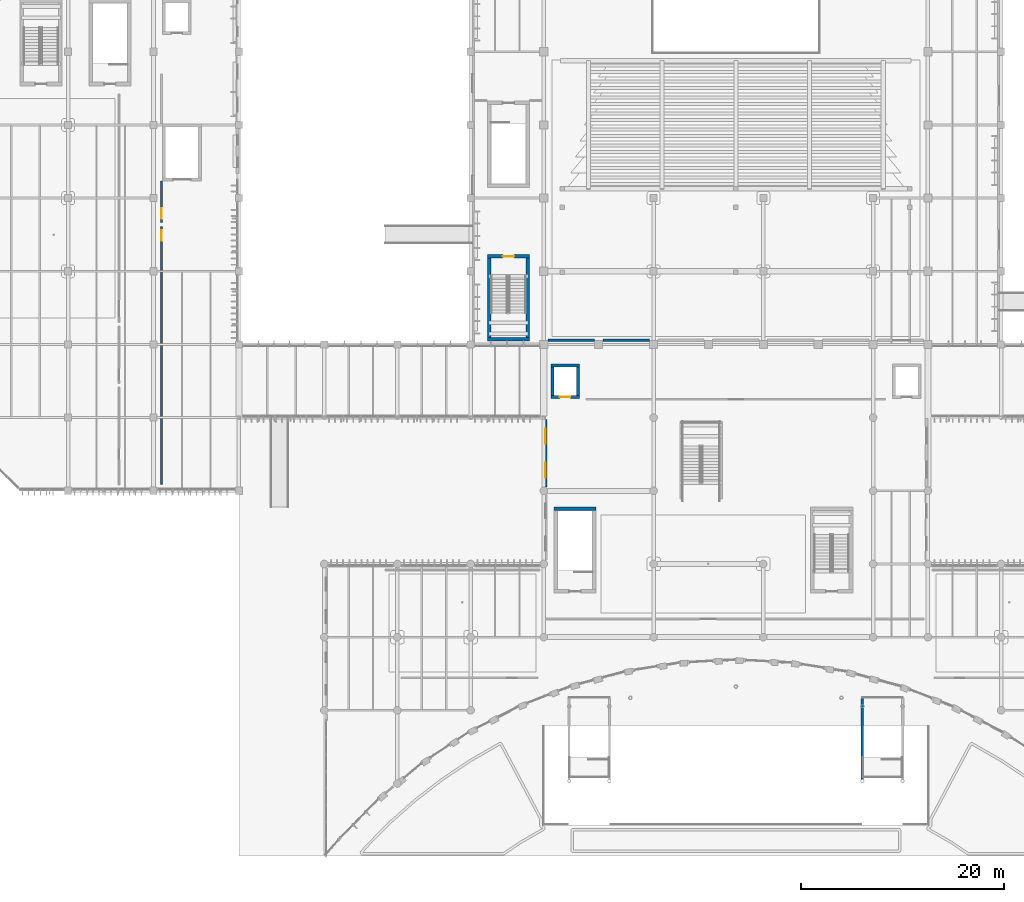
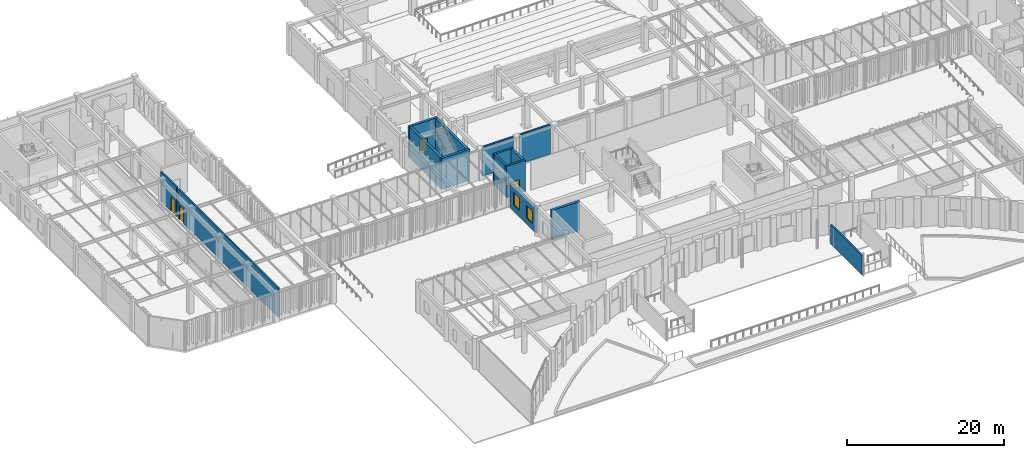
# One storey, part 32 of 122: 15 walls, 4 doors, 2 windows, 6 openings.
"""IFC4 building model written with IfcOpenShell, lengths in metres."""

import ifcopenshell
import ifcopenshell.guid

model = None  # the IFC model being written
_history = None  # IfcOwnerHistory: only IFC2X3 demands one
_inside = {}  # id of a spatial element -> (the spatial element, [elements in it])
_under = {}  # id of a project, library or spatial element -> (it, [spatial elements below it])
_declared = {}  # id of a project -> (the project, [libraries it declares])
_typed = {}  # id of a type object -> (the type object, [elements of that type])
_made_of = {}  # id of a material, layer set ... -> (it, [elements and type objects made of it])


def new_model(schema):
    """Start an empty IFC model of exactly this schema.

    Asked for "IFC4X3", IfcOpenShell would pick the latest addendum, in which some entities
    have other attributes; the version numbers below select the first issue.
    IFC2X3 requires an IfcOwnerHistory on every rooted entity: one is made here for all.
    """
    global model, _history
    if schema == "IFC4X3":
        model = ifcopenshell.file(schema_version=(4, 3, 0, 0))
    else:
        model = ifcopenshell.file(schema=schema)
    _inside.clear()
    _under.clear()
    _declared.clear()
    _typed.clear()
    _made_of.clear()
    _history = None
    if model.schema == "IFC2X3":
        org = make("IfcOrganization", Name="unknown")
        user = make(
            "IfcPersonAndOrganization",
            ThePerson=make("IfcPerson", FamilyName="unknown"),
            TheOrganization=org,
        )
        app = make(
            "IfcApplication",
            ApplicationDeveloper=org,
            Version="unknown",
            ApplicationFullName="unknown",
            ApplicationIdentifier="unknown",
        )
        _history = make(
            "IfcOwnerHistory",
            OwningUser=user,
            OwningApplication=app,
            ChangeAction="ADDED",
            CreationDate=0,
        )
    return model


def make(cls, **values):
    """One entity of the class cls with the attributes given. An attribute that is None is left unset."""
    return model.create_entity(
        cls, **{name: value for name, value in values.items() if value is not None}
    )


def rooted(cls, **values):
    """An entity with a GlobalId (a new one), such as an element, a storey or a relation."""
    return make(cls, GlobalId=ifcopenshell.guid.new(), OwnerHistory=_history, **values)


def si_unit(unit_type, name, prefix=None):
    """IfcSIUnit, for example si_unit("LENGTHUNIT", "METRE", prefix="MILLI")."""
    return make("IfcSIUnit", UnitType=unit_type, Prefix=prefix, Name=name)


def assignment(units):
    """IfcUnitAssignment: the units of a project."""
    return None if units is None else make("IfcUnitAssignment", Units=units)


def point(xyz):
    """IfcCartesianPoint."""
    return None if xyz is None else make("IfcCartesianPoint", Coordinates=xyz)


def direction(xyz):
    """IfcDirection."""
    return None if xyz is None else make("IfcDirection", DirectionRatios=xyz)


def frame(location, z_axis=None, x_axis=None):
    """IfcAxis2Placement3D, a coordinate frame: its origin and axes. An axis left out is left unset."""
    return make(
        "IfcAxis2Placement3D",
        Location=point(location),
        Axis=direction(z_axis),
        RefDirection=direction(x_axis),
    )


def frame_2d(location, x_axis=None):
    """IfcAxis2Placement2D, a coordinate frame in the plane: its origin and x axis."""
    return make(
        "IfcAxis2Placement2D", Location=point(location), RefDirection=direction(x_axis)
    )


def origin():
    """The frame at (0, 0, 0) with its axes left unset."""
    return frame((0.0, 0.0, 0.0))


def place(relative_to, where):
    """IfcLocalPlacement: puts the frame where relative to a parent placement (None: the world)."""
    return make(
        "IfcLocalPlacement", PlacementRelTo=relative_to, RelativePlacement=where
    )


def context(
    kind, dimensions, precision=None, world=None, true_north=None, identifier=None
):
    """IfcGeometricRepresentationContext, for example the 3D "Model" context."""
    return make(
        "IfcGeometricRepresentationContext",
        ContextIdentifier=identifier,
        ContextType=kind,
        CoordinateSpaceDimension=dimensions,
        Precision=precision,
        WorldCoordinateSystem=world,
        TrueNorth=true_north,
    )


def subcontext(parent, identifier, kind, view, scale=None):
    """IfcGeometricRepresentationSubContext, for example "Body" below "Model"."""
    return make(
        "IfcGeometricRepresentationSubContext",
        ContextIdentifier=identifier,
        ContextType=kind,
        ParentContext=parent,
        TargetScale=scale,
        TargetView=view,
    )


def project(units=None, contexts=None):
    """IfcProject with its units and contexts."""
    return rooted(
        "IfcProject",
        Name="project",
        RepresentationContexts=contexts,
        UnitsInContext=assignment(units),
    )


def spatial(cls, under=None, at=None, **own):
    """A site, building, storey or space (cls), placed at a placement, below another one or the project."""
    s = rooted(cls, ObjectPlacement=at, **own)
    if under is not None:
        _under.setdefault(under.id(), (under, []))[1].append(s)
    return s


def profile(cls, at=None, kind="AREA", **sizes):
    """A parametric profile (cls). Its sizes go by their IFC names, for example OverallWidth=200.0."""
    return make(cls, ProfileType=kind, Position=at, **sizes)


def rectangle(**sizes):
    """IfcRectangleProfileDef."""
    return profile("IfcRectangleProfileDef", **sizes)


def extrude(swept, where, along, depth):
    """IfcExtrudedAreaSolid: the profile swept, set in the frame where, extruded along a direction by depth."""
    return make(
        "IfcExtrudedAreaSolid",
        SweptArea=swept,
        Position=where,
        ExtrudedDirection=direction(along),
        Depth=depth,
    )


def shape(context_of_items, identifier, shape_type, items):
    """IfcShapeRepresentation: the items that make up one representation, for example the "Body"."""
    return make(
        "IfcShapeRepresentation",
        ContextOfItems=context_of_items,
        RepresentationIdentifier=identifier,
        RepresentationType=shape_type,
        Items=items,
    )


def material(Name=None, Category=None):
    """IfcMaterial."""
    return make("IfcMaterial", Name=Name, Category=Category)


def layer(
    of_material, thickness, ventilated=None, Name=None, Category=None, Priority=None
):
    """IfcMaterialLayer: one layer of a wall or slab, of a material (None: an air gap)."""
    return make(
        "IfcMaterialLayer",
        Material=of_material,
        LayerThickness=thickness,
        IsVentilated=ventilated,
        Name=Name,
        Category=Category,
        Priority=Priority,
    )


def layer_set(layers, Name=None):
    """IfcMaterialLayerSet."""
    return make("IfcMaterialLayerSet", MaterialLayers=layers, LayerSetName=Name)


def made_of(thing, what):
    """Note that an element or type object is made of a material, layer set ...; save() writes the relation."""
    if what is not None:
        _made_of.setdefault(what.id(), (what, []))[1].append(thing)
    return thing


def type_object(cls, material=None, **own):
    """A type object (cls), such as IfcWallType, which elements share."""
    return made_of(rooted(cls, **own), material)


def element(
    cls,
    number,
    at=None,
    inside=None,
    cuts=None,
    type_object=None,
    material=None,
    context=None,
    identifier="Body",
    shape_type=None,
    held_by="IfcProductDefinitionShape",
    body=None,
    shapes=None,
    **own,
):
    """One element of the class cls, such as IfcWall. Its Tag is "e" and its number.

    at: its placement. inside: the storey or other place that contains it. cuts: it is an
    opening in that element (IfcRelVoidsElement). A single representation is given by context,
    identifier, shape_type and body (its items); several are given by shapes. held_by: the class
    of the entity that holds the representations. save() writes the other relations.
    """
    e = rooted(cls, Tag="e%d" % number, ObjectPlacement=at, **own)
    if body is not None:
        shapes = [shape(context, identifier, shape_type, body)]
    if shapes is not None:
        e.Representation = make(held_by, Representations=shapes)
    if inside is not None:
        _inside.setdefault(inside.id(), (inside, []))[1].append(e)
    if cuts is not None:
        rooted(
            "IfcRelVoidsElement", RelatingBuildingElement=cuts, RelatedOpeningElement=e
        )
    if type_object is not None:
        _typed.setdefault(type_object.id(), (type_object, []))[1].append(e)
    return made_of(e, material)


def fill(opening, filler):
    """IfcRelFillsElement: the door or window that sits in an opening."""
    return rooted(
        "IfcRelFillsElement",
        RelatingOpeningElement=opening,
        RelatedBuildingElement=filler,
    )


def aggregate(whole, parts):
    """IfcRelAggregates: a whole, such as a stair, and the parts it consists of."""
    return rooted("IfcRelAggregates", RelatingObject=whole, RelatedObjects=parts)


def save(model, path):
    """Write the relations noted so far, then the file.

    IfcRelAggregates (storeys below a building ...), IfcRelContainedInSpatialStructure (elements
    in a storey), IfcRelDefinesByType, IfcRelAssociatesMaterial and IfcRelDeclares: one each for
    every whole, place, type object, material and project.
    """
    for whole, parts in _under.values():
        aggregate(whole, parts)
    for where, things in _inside.values():
        rooted(
            "IfcRelContainedInSpatialStructure",
            RelatedElements=things,
            RelatingStructure=where,
        )
    for kind, things in _typed.values():
        rooted("IfcRelDefinesByType", RelatedObjects=things, RelatingType=kind)
    for what, things in _made_of.values():
        rooted("IfcRelAssociatesMaterial", RelatedObjects=things, RelatingMaterial=what)
    for by, libraries in _declared.values():
        rooted("IfcRelDeclares", RelatingContext=by, RelatedDefinitions=libraries)
    model.write(path)


model = new_model("IFC4")

# Units and contexts
model_context = context("Model", 3, precision=1e-05, world=origin(), true_north=direction((0.0, 1.0)))
body_context = subcontext(model_context, "Body", "Model", "MODEL_VIEW")
ifc_project = project(units=[si_unit("LENGTHUNIT", "METRE"), si_unit("AREAUNIT", "SQUARE_METRE"), si_unit("VOLUMEUNIT", "CUBIC_METRE"), si_unit("PLANEANGLEUNIT", "RADIAN"), si_unit("MASSUNIT", "GRAM", prefix="KILO")], contexts=[model_context])

# Site, building, storey
site_placement = place(None, origin())
site = spatial("IfcSite", under=ifc_project, at=site_placement, CompositionType="ELEMENT")
building_placement = place(site_placement, origin())
building = spatial("IfcBuilding", under=site, at=building_placement, Name="Tazoul Stagehouse", CompositionType="ELEMENT")
storey_placement = place(building_placement, origin())
storey = spatial("IfcBuildingStorey", under=building, at=storey_placement, Name="L00", CompositionType="ELEMENT", Elevation=0.0)

# Walls
ifc_material_1 = material(Name="Gypsum Acoustic Partition", Category="gypsum")
ifc_layer_1 = layer(ifc_material_1, 0.25, Name="Gypsum Acoustic Partition")
ifc_layer_set_1 = layer_set([ifc_layer_1], Name="Gypsum Acoustic Partition")
wall_type_1 = type_object("IfcWallType", Name="Acoustic Hall Double-Stud Partition 250", PredefinedType="PARTITIONING", material=ifc_layer_set_1)
for number, where, z_axis, x_axis, name in (
    (1, (67.97998046875, 52.199951171875, 0.0), (0.0, 0.0, 1.0), (-1.0, 0.0, 0.0), "L00 Partition PW-250 (PW-RM-L00-019-S-S6)"),
    (2, (62.580078125, 52.199951171875, 0.0), (0.0, 0.0, 1.0), (-1.0, 0.0, 0.0), "L00 Partition PW-250 (PW-RM-L00-019-S-S7)"),
):
    element("IfcWall", number, at=place(storey_placement, frame(where, z_axis=z_axis, x_axis=x_axis)), inside=storey, type_object=wall_type_1, Name=name, PredefinedType="PARTITIONING", context=body_context, shape_type="SweptSolid", body=[
        extrude(rectangle(XDim=4.56005859375, YDim=0.25, at=frame_2d((2.280029296875, 0.0))), origin(), (0.0, 0.0, 1.0), 4.5400390625),
    ])
ifc_material_2 = material(Name="Concrete C40/50", Category="concrete")
ifc_layer_2 = layer(ifc_material_2, 0.35009765625, Name="Concrete C40/50")
ifc_layer_set_2 = layer_set([ifc_layer_2], Name="Concrete C40/50")
wall_type_2 = type_object("IfcWallType", Name="Core Shear Wall 350", PredefinedType="SOLIDWALL", material=ifc_layer_set_2)
wall_1_placement = place(storey_placement, frame((56.199951171875, 52.31494140625, 0.0), z_axis=(0.0, 0.0, 1.0), x_axis=(-1.0, 0.0, 0.0)))
element("IfcWall", 3, at=wall_1_placement, inside=storey, type_object=wall_type_2, Name="L00 Core Wall CW-350 (SHF-ST-05-south)", PredefinedType="SOLIDWALL", context=body_context, shape_type="SweptSolid", body=[
    extrude(rectangle(XDim=4.14990234375, YDim=0.35009765625, at=frame_2d((2.074951171875, 0.0))), origin(), (0.0, 0.0, 1.0), 4.800048828125),
])
wall_2_placement = place(storey_placement, frame((52.22509765625, 52.489990234375, 0.0), z_axis=(0.0, 0.0, 1.0), x_axis=(0.0, 1.0, 0.0)))
element("IfcWall", 4, at=wall_2_placement, inside=storey, type_object=wall_type_2, Name="L00 Core Wall CW-350 (SHF-ST-05-west)", PredefinedType="SOLIDWALL", context=body_context, shape_type="SweptSolid", body=[
    extrude(rectangle(XDim=7.800048828125, YDim=0.35009765625, at=frame_2d((3.89990234375, 0.0))), origin(), (0.0, 0.0, 1.0), 4.800048828125),
])

# Wall, opening, door
wall_3_placement = place(storey_placement, frame((52.050048828125, 60.465087890625, 0.0), z_axis=(0.0, 0.0, 1.0), x_axis=(1.0, 0.0, 0.0)))
wall_3 = element("IfcWall", 5, at=wall_3_placement, inside=storey, type_object=wall_type_2, Name="L00 Core Wall CW-350 (SHF-ST-05-north)", PredefinedType="SOLIDWALL", context=body_context, shape_type="SweptSolid", body=[
    extrude(rectangle(XDim=4.14990234375, YDim=0.35009765625, at=frame_2d((2.074951171875, 0.0))), origin(), (0.0, 0.0, 1.0), 4.800048828125),
])
opening_1_placement = place(wall_3_placement, frame((1.52490234375, 0.0, 0.0)))
opening_1 = element("IfcOpeningElement", 6, at=opening_1_placement, cuts=wall_3, Name="Opening FD-01", PredefinedType="OPENING", context=body_context, shape_type="SweptSolid", body=[
    extrude(rectangle(XDim=1.10009765625, YDim=2.14990234375, at=frame_2d((0.550048828125, 1.074951171875))), frame((0.0, 0.195068359375, 0.0), z_axis=(0.0, -1.0, 0.0), x_axis=(1.0, 0.0, 0.0)), (0.0, 0.0, 1.0), 0.39013671875),
])
ifc_material_3 = material(Name="Powder-Coated Galvanised Acoustic Steel", Category="steel")
door_type_1 = type_object("IfcDoorType", Name="Core Escape Stair Fire Door 1100x2150", OperationType="NOTDEFINED", PredefinedType="DOOR", material=ifc_material_3)
door_1_placement = place(opening_1_placement, origin())
door_1 = element("IfcDoor", 7, at=door_1_placement, inside=storey, type_object=door_type_1, Name="L00 Escape Stair Fire Door FD-01 (ST-05)", OperationType="SINGLE_SWING_RIGHT", OverallHeight=2.14990234375, OverallWidth=1.10009765625, PredefinedType="DOOR", context=body_context, shape_type="SweptSolid", body=[
    extrude(rectangle(XDim=1.10009765625, YDim=2.14990234375, at=frame_2d((0.550048828125, 1.074951171875))), frame((0.0, 0.02490234375, 0.0), z_axis=(0.0, -1.0, 0.0), x_axis=(1.0, 0.0, 0.0)), (0.0, 0.0, 1.0), 0.050048828125),
])
fill(opening_1, door_1)

# Walls
wall_4_placement = place(storey_placement, frame((56.02490234375, 60.2900390625, 0.0), z_axis=(0.0, 0.0, 1.0), x_axis=(0.0, -1.0, 0.0)))
element("IfcWall", 8, at=wall_4_placement, inside=storey, type_object=wall_type_2, Name="L00 Core Wall CW-350 (SHF-ST-05-east)", PredefinedType="SOLIDWALL", context=body_context, shape_type="SweptSolid", body=[
    extrude(rectangle(XDim=7.800048828125, YDim=0.35009765625, at=frame_2d((3.89990234375, 0.0))), origin(), (0.0, 0.0, 1.0), 4.800048828125),
])
wall_5_placement = place(storey_placement, frame((58.60009765625, 35.655029296875, 0.0), z_axis=(0.0, 0.0, 1.0), x_axis=(1.0, 0.0, 0.0)))
element("IfcWall", 9, at=wall_5_placement, inside=storey, type_object=wall_type_2, Name="L00 Core Wall CW-350 (SHF-ST-B8-north)", PredefinedType="SOLIDWALL", context=body_context, shape_type="SweptSolid", body=[
    extrude(rectangle(XDim=4.14990234375, YDim=0.35009765625, at=frame_2d((2.074951171875, 0.0))), origin(), (0.0, 0.0, 1.0), 4.5400390625),
])

# Wall, openings, windows
ifc_material_4 = material(Name="Precast concrete C40/50", Category="concrete")
ifc_layer_3 = layer(ifc_material_4, 0.280029296875, Name="Precast concrete C40/50")
ifc_layer_set_3 = layer_set([ifc_layer_3], Name="Precast concrete C40/50")
wall_type_3 = type_object("IfcWallType", Name="Insulated Precast Acoustic Cladding Wall 280", PredefinedType="SOLIDWALL", material=ifc_layer_set_3)
wall_6_placement = place(storey_placement, frame((57.760009765625, 37.780029296875, 0.0), z_axis=(0.0, 0.0, 1.0), x_axis=(0.0, 1.0, 0.0)))
wall_6 = element("IfcWall", 10, at=wall_6_placement, inside=storey, type_object=wall_type_3, Name="L00 Wall EW-280 (WALL-V5-THRW-L00-S2)", PredefinedType="SOLIDWALL", context=body_context, shape_type="SweptSolid", body=[
    extrude(rectangle(XDim=6.653076171875, YDim=0.280029296875, at=frame_2d((3.32666015625, 0.0))), origin(), (0.0, 0.0, 1.0), 3.873046875),
])
opening_2_placement = place(wall_6_placement, frame((0.92822265625, 0.0, 0.949951171875)))
opening_2 = element("IfcOpeningElement", 11, at=opening_2_placement, cuts=wall_6, Name="Opening WN-77", PredefinedType="OPENING", context=body_context, shape_type="SweptSolid", body=[
    extrude(rectangle(XDim=1.469970703125, YDim=1.949951171875, at=frame_2d((0.73486328125, 0.97509765625))), frame((0.0, 0.159912109375, 0.0), z_axis=(0.0, -1.0, 0.0), x_axis=(1.0, 0.0, 0.0)), (0.0, 0.0, 1.0), 0.320068359375),
])
opening_3_placement = place(wall_6_placement, frame((4.2548828125, 0.0, 0.949951171875)))
opening_3 = element("IfcOpeningElement", 12, at=opening_3_placement, cuts=wall_6, Name="Opening WN-77", PredefinedType="OPENING", context=body_context, shape_type="SweptSolid", body=[
    extrude(rectangle(XDim=1.469970703125, YDim=1.949951171875, at=frame_2d((0.73486328125, 0.97509765625))), frame((0.0, 0.159912109375, 0.0), z_axis=(0.0, -1.0, 0.0), x_axis=(1.0, 0.0, 0.0)), (0.0, 0.0, 1.0), 0.320068359375),
])
ifc_material_5 = material(Name="Double Low-E Acoustic Laminated Glass", Category="glass")
window_type = type_object("IfcWindowType", Name="Architectural Acoustic Facade Window 1470x1950", PartitioningType="SINGLE_PANEL", PredefinedType="WINDOW", material=ifc_material_5)
window_1_placement = place(opening_2_placement, origin())
window_1 = element("IfcWindow", 13, at=window_1_placement, inside=storey, type_object=window_type, Name="L00 Window WN-77 (WALL-V5-THRW-L00-S2-W1)", OverallHeight=1.949951171875, OverallWidth=1.469970703125, PartitioningType="SINGLE_PANEL", PredefinedType="WINDOW", context=body_context, shape_type="SweptSolid", body=[
    extrude(rectangle(XDim=1.469970703125, YDim=1.949951171875, at=frame_2d((0.73486328125, 0.97509765625))), frame((0.0, 0.030029296875, 0.0), z_axis=(0.0, -1.0, 0.0), x_axis=(1.0, 0.0, 0.0)), (0.0, 0.0, 1.0), 0.06005859375),
])
fill(opening_2, window_1)
window_2_placement = place(opening_3_placement, origin())
window_2 = element("IfcWindow", 14, at=window_2_placement, inside=storey, type_object=window_type, Name="L00 Window WN-77 (WALL-V5-THRW-L00-S2-W2)", OverallHeight=1.949951171875, OverallWidth=1.469970703125, PartitioningType="SINGLE_PANEL", PredefinedType="WINDOW", context=body_context, shape_type="SweptSolid", body=[
    extrude(rectangle(XDim=1.469970703125, YDim=1.949951171875, at=frame_2d((0.73486328125, 0.97509765625))), frame((0.0, 0.030029296875, 0.0), z_axis=(0.0, -1.0, 0.0), x_axis=(1.0, 0.0, 0.0)), (0.0, 0.0, 1.0), 0.06005859375),
])
fill(opening_3, window_2)

# Wall, opening, door
ifc_layer_4 = layer(ifc_material_2, 0.300048828125, Name="Concrete C40/50")
ifc_layer_set_4 = layer_set([ifc_layer_4], Name="Concrete C40/50")
wall_type_4 = type_object("IfcWallType", Name="Lift Shaft Wall 300", PredefinedType="SOLIDWALL", material=ifc_layer_set_4)
wall_7_placement = place(storey_placement, frame((61.10009765625, 46.64990234375, 0.0), z_axis=(0.0, 0.0, 1.0), x_axis=(-1.0, 0.0, 0.0)))
wall_7 = element("IfcWall", 15, at=wall_7_placement, inside=storey, type_object=wall_type_4, Name="L00 Core Wall CW-300 (LSHF-PL-01-south)", PredefinedType="SOLIDWALL", context=body_context, shape_type="SweptSolid", body=[
    extrude(rectangle(XDim=2.800048828125, YDim=0.300048828125, at=frame_2d((1.39990234375, 0.0))), origin(), (0.0, 0.0, 1.0), 4.800048828125),
])
opening_4_placement = place(wall_7_placement, frame((0.875, 0.0, 0.0)))
opening_4 = element("IfcOpeningElement", 16, at=opening_4_placement, cuts=wall_7, Name="Opening LD-03", PredefinedType="OPENING", context=body_context, shape_type="SweptSolid", body=[
    extrude(rectangle(XDim=1.050048828125, YDim=2.10009765625, at=frame_2d((0.52490234375, 1.050048828125))), frame((0.0, 0.169921875, 0.0), z_axis=(0.0, -1.0, 0.0), x_axis=(1.0, 0.0, 0.0)), (0.0, 0.0, 1.0), 0.340087890625),
])
door_type_2 = type_object("IfcDoorType", Name="Passenger Lift Sliding Landing Door 1050x2100", OperationType="DOUBLE_DOOR_SLIDING", PredefinedType="DOOR", material=ifc_material_3)
door_2_placement = place(opening_4_placement, origin())
door_2 = element("IfcDoor", 17, at=door_2_placement, inside=storey, type_object=door_type_2, Name="L00 Lift Landing Sliding Door LD-03 (PL-01)", OperationType="DOUBLE_DOOR_SLIDING", OverallHeight=2.10009765625, OverallWidth=1.050048828125, PredefinedType="DOOR", context=body_context, shape_type="SweptSolid", body=[
    extrude(rectangle(XDim=1.050048828125, YDim=2.10009765625, at=frame_2d((0.52490234375, 1.050048828125))), frame((0.0, 0.02490234375, 0.0), z_axis=(0.0, -1.0, 0.0), x_axis=(1.0, 0.0, 0.0)), (0.0, 0.0, 1.0), 0.050048828125),
])
fill(opening_4, door_2)

# Walls
for number, where, z_axis, x_axis, name in (
    (18, (58.449951171875, 46.800048828125, 0.0), (0.0, 0.0, 1.0), (0.0, 1.0, 0.0), "L00 Core Wall CW-300 (LSHF-PL-01-west)"),
    (19, (58.300048828125, 49.75, 0.0), (0.0, 0.0, 1.0), (1.0, 0.0, 0.0), "L00 Core Wall CW-300 (LSHF-PL-01-north)"),
    (20, (60.949951171875, 49.60009765625, 0.0), (0.0, 0.0, 1.0), (0.0, -1.0, 0.0), "L00 Core Wall CW-300 (LSHF-PL-01-east)"),
):
    element("IfcWall", number, at=place(storey_placement, frame(where, z_axis=z_axis, x_axis=x_axis)), inside=storey, type_object=wall_type_4, Name=name, PredefinedType="SOLIDWALL", context=body_context, shape_type="SweptSolid", body=[
        extrude(rectangle(XDim=2.800048828125, YDim=0.300048828125, at=frame_2d((1.39990234375, 0.0))), origin(), (0.0, 0.0, 1.0), 4.800048828125),
    ])
ifc_layer_5 = layer(ifc_material_2, 0.219970703125, Name="Concrete C40/50")
ifc_layer_set_5 = layer_set([ifc_layer_5], Name="Concrete C40/50")
wall_type_5 = type_object("IfcWallType", Name="Protected Exit Passage Wall 220 (Exterior)", PredefinedType="SOLIDWALL", material=ifc_layer_set_5)
wall_8_placement = place(storey_placement, frame((88.93994140625, 9.014892578125, 0.0), z_axis=(0.0, 0.0, 1.0), x_axis=(0.0, 1.0, 0.0)))
element("IfcWall", 21, at=wall_8_placement, inside=storey, type_object=wall_type_5, Name="L00 Civic Stair Cheek Wall CW-220E (ST-AMP-E-W)", PredefinedType="SOLIDWALL", context=body_context, shape_type="SweptSolid", body=[
    extrude(rectangle(XDim=7.985107421875, YDim=0.219970703125, at=frame_2d((3.99267578125, 0.0))), origin(), (0.0, 0.0, 1.0), 3.02001953125),
])

# Wall, opening, door
ifc_layer_6 = layer(ifc_material_1, 0.2099609375, Name="Gypsum Acoustic Partition")
ifc_layer_set_6 = layer_set([ifc_layer_6], Name="Gypsum Acoustic Partition")
wall_type_6 = type_object("IfcWallType", Name="Rehearsal Room Acoustic Partition 210", PredefinedType="PARTITIONING", material=ifc_layer_set_6)
wall_9_placement = place(storey_placement, frame((20.0, 38.0, 0.0), z_axis=(0.0, 0.0, 1.0), x_axis=(0.0, 1.0, 0.0)))
wall_9 = element("IfcWall", 22, at=wall_9_placement, inside=storey, type_object=wall_type_6, Name="L00 Partition PW-210 (PW-RM-L00-034-W)", PredefinedType="PARTITIONING", context=body_context, shape_type="SweptSolid", body=[
    extrude(rectangle(XDim=25.39990234375, YDim=0.2099609375, at=frame_2d((12.699951171875, 0.0))), origin(), (0.0, 0.0, 1.0), 4.5400390625),
])
opening_5_placement = place(wall_9_placement, frame((24.0, 0.0, 0.0)))
opening_5 = element("IfcOpeningElement", 23, at=opening_5_placement, cuts=wall_9, Name="Opening ID-08", PredefinedType="OPENING", context=body_context, shape_type="SweptSolid", body=[
    extrude(rectangle(XDim=1.050048828125, YDim=2.25, at=frame_2d((0.52490234375, 1.125))), frame((0.0, 0.125, 0.0), z_axis=(0.0, -1.0, 0.0), x_axis=(1.0, 0.0, 0.0)), (0.0, 0.0, 1.0), 0.25),
])
ifc_material_6 = material(Name="Acoustic Cedar Timber", Category="wood")
door_type_3 = type_object("IfcDoorType", Name="Warm-Up Studio Acoustic Door 1050x2250", OperationType="NOTDEFINED", PredefinedType="DOOR", material=ifc_material_6)
door_3_placement = place(opening_5_placement, origin())
door_3 = element("IfcDoor", 24, at=door_3_placement, inside=storey, type_object=door_type_3, Name="L00 Digital Sound and Projection Workshop Door", OperationType="SINGLE_SWING_LEFT", OverallHeight=2.25, OverallWidth=1.050048828125, PredefinedType="DOOR", context=body_context, shape_type="SweptSolid", body=[
    extrude(rectangle(XDim=1.050048828125, YDim=2.25, at=frame_2d((0.52490234375, 1.125))), frame((0.0, 0.02490234375, 0.0), z_axis=(0.0, -1.0, 0.0), x_axis=(1.0, 0.0, 0.0)), (0.0, 0.0, 1.0), 0.050048828125),
])
fill(opening_5, door_3)

wall_10_placement = place(storey_placement, frame((20.0, 63.800048828125, 0.0), z_axis=(0.0, 0.0, 1.0), x_axis=(0.0, 1.0, 0.0)))
wall_10 = element("IfcWall", 25, at=wall_10_placement, inside=storey, type_object=wall_type_6, Name="L00 Partition PW-210 (PW-RM-L00-109-W-S1)", PredefinedType="PARTITIONING", context=body_context, shape_type="SweptSolid", body=[
    extrude(rectangle(XDim=4.06005859375, YDim=0.2099609375, at=frame_2d((2.030029296875, 0.0))), origin(), (0.0, 0.0, 1.0), 4.5400390625),
])
opening_6_placement = place(wall_10_placement, frame((0.35009765625, 0.0, 0.0)))
opening_6 = element("IfcOpeningElement", 26, at=opening_6_placement, cuts=wall_10, Name="Opening ID-08", PredefinedType="OPENING", context=body_context, shape_type="SweptSolid", body=[
    extrude(rectangle(XDim=1.050048828125, YDim=2.25, at=frame_2d((0.52490234375, 1.125))), frame((0.0, 0.125, 0.0), z_axis=(0.0, -1.0, 0.0), x_axis=(1.0, 0.0, 0.0)), (0.0, 0.0, 1.0), 0.25),
])
door_4_placement = place(opening_6_placement, origin())
door_4 = element("IfcDoor", 27, at=door_4_placement, inside=storey, type_object=door_type_3, Name="L00 West Wing Scenography Fabrication Studio Door", OperationType="SINGLE_SWING_LEFT", OverallHeight=2.25, OverallWidth=1.050048828125, PredefinedType="DOOR", context=body_context, shape_type="SweptSolid", body=[
    extrude(rectangle(XDim=1.050048828125, YDim=2.25, at=frame_2d((0.52490234375, 1.125))), frame((0.0, 0.02490234375, 0.0), z_axis=(0.0, -1.0, 0.0), x_axis=(1.0, 0.0, 0.0)), (0.0, 0.0, 1.0), 0.050048828125),
])
fill(opening_6, door_4)

save(model, "model.ifc")
